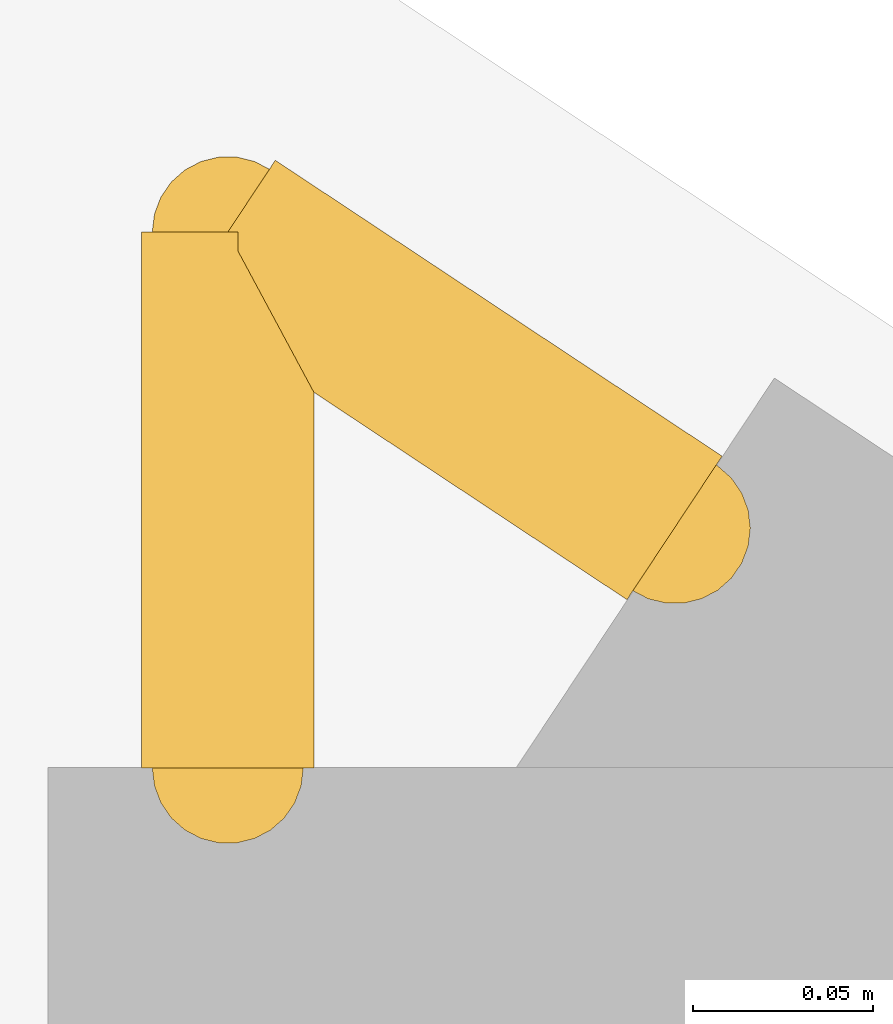
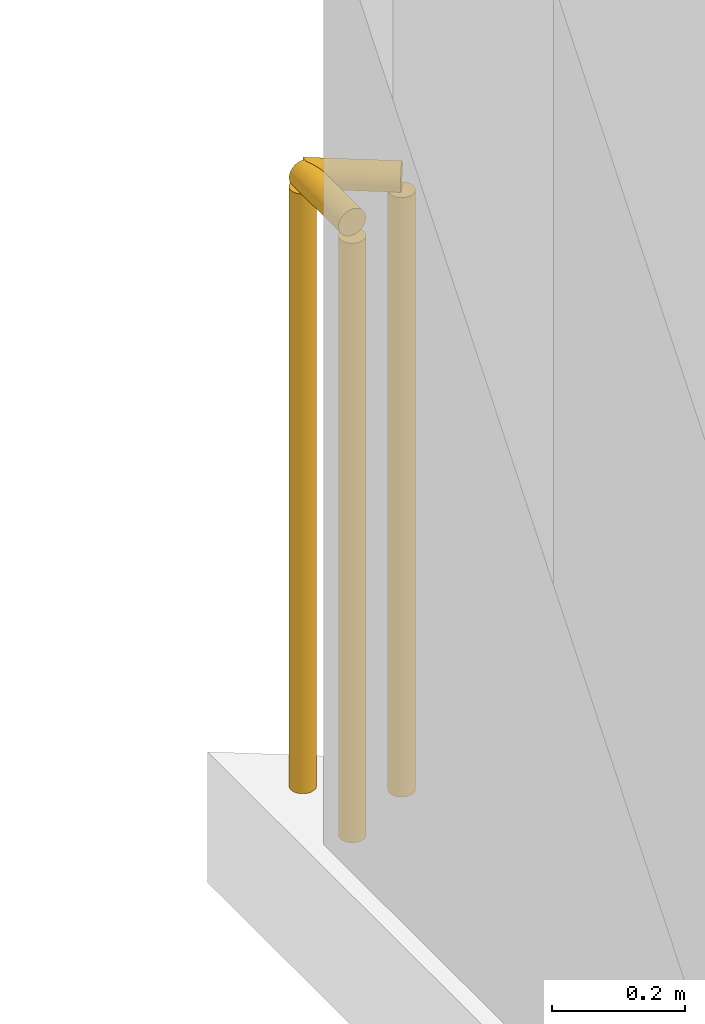
# One storey, part 16 of 17: 2 railings.
"""IFC4 building model written with IfcOpenShell, lengths in metres."""

import ifcopenshell
import ifcopenshell.guid

model = None  # the IFC model being written
_history = None  # IfcOwnerHistory: only IFC2X3 demands one
_inside = {}  # id of a spatial element -> (the spatial element, [elements in it])
_under = {}  # id of a project, library or spatial element -> (it, [spatial elements below it])
_declared = {}  # id of a project -> (the project, [libraries it declares])
_typed = {}  # id of a type object -> (the type object, [elements of that type])
_made_of = {}  # id of a material, layer set ... -> (it, [elements and type objects made of it])


def new_model(schema):
    """Start an empty IFC model of exactly this schema.

    Asked for "IFC4X3", IfcOpenShell would pick the latest addendum, in which some entities
    have other attributes; the version numbers below select the first issue.
    IFC2X3 requires an IfcOwnerHistory on every rooted entity: one is made here for all.
    """
    global model, _history
    if schema == "IFC4X3":
        model = ifcopenshell.file(schema_version=(4, 3, 0, 0))
    else:
        model = ifcopenshell.file(schema=schema)
    _inside.clear()
    _under.clear()
    _declared.clear()
    _typed.clear()
    _made_of.clear()
    _history = None
    if model.schema == "IFC2X3":
        org = make("IfcOrganization", Name="unknown")
        user = make(
            "IfcPersonAndOrganization",
            ThePerson=make("IfcPerson", FamilyName="unknown"),
            TheOrganization=org,
        )
        app = make(
            "IfcApplication",
            ApplicationDeveloper=org,
            Version="unknown",
            ApplicationFullName="unknown",
            ApplicationIdentifier="unknown",
        )
        _history = make(
            "IfcOwnerHistory",
            OwningUser=user,
            OwningApplication=app,
            ChangeAction="ADDED",
            CreationDate=0,
        )
    return model


def make(cls, **values):
    """One entity of the class cls with the attributes given. An attribute that is None is left unset."""
    return model.create_entity(
        cls, **{name: value for name, value in values.items() if value is not None}
    )


def rooted(cls, **values):
    """An entity with a GlobalId (a new one), such as an element, a storey or a relation."""
    return make(cls, GlobalId=ifcopenshell.guid.new(), OwnerHistory=_history, **values)


def si_unit(unit_type, name, prefix=None):
    """IfcSIUnit, for example si_unit("LENGTHUNIT", "METRE", prefix="MILLI")."""
    return make("IfcSIUnit", UnitType=unit_type, Prefix=prefix, Name=name)


def assignment(units):
    """IfcUnitAssignment: the units of a project."""
    return None if units is None else make("IfcUnitAssignment", Units=units)


def point(xyz):
    """IfcCartesianPoint."""
    return None if xyz is None else make("IfcCartesianPoint", Coordinates=xyz)


def direction(xyz):
    """IfcDirection."""
    return None if xyz is None else make("IfcDirection", DirectionRatios=xyz)


def frame(location, z_axis=None, x_axis=None):
    """IfcAxis2Placement3D, a coordinate frame: its origin and axes. An axis left out is left unset."""
    return make(
        "IfcAxis2Placement3D",
        Location=point(location),
        Axis=direction(z_axis),
        RefDirection=direction(x_axis),
    )


def frame_2d(location, x_axis=None):
    """IfcAxis2Placement2D, a coordinate frame in the plane: its origin and x axis."""
    return make(
        "IfcAxis2Placement2D", Location=point(location), RefDirection=direction(x_axis)
    )


def origin():
    """The frame at (0, 0, 0) with its axes left unset."""
    return frame((0.0, 0.0, 0.0))


def origin_2d():
    """The frame at (0, 0) in the plane with its x axis left unset."""
    return frame_2d((0.0, 0.0))


def place(relative_to, where):
    """IfcLocalPlacement: puts the frame where relative to a parent placement (None: the world)."""
    return make(
        "IfcLocalPlacement", PlacementRelTo=relative_to, RelativePlacement=where
    )


def context(
    kind, dimensions, precision=None, world=None, true_north=None, identifier=None
):
    """IfcGeometricRepresentationContext, for example the 3D "Model" context."""
    return make(
        "IfcGeometricRepresentationContext",
        ContextIdentifier=identifier,
        ContextType=kind,
        CoordinateSpaceDimension=dimensions,
        Precision=precision,
        WorldCoordinateSystem=world,
        TrueNorth=true_north,
    )


def subcontext(parent, identifier, kind, view, scale=None):
    """IfcGeometricRepresentationSubContext, for example "Body" below "Model"."""
    return make(
        "IfcGeometricRepresentationSubContext",
        ContextIdentifier=identifier,
        ContextType=kind,
        ParentContext=parent,
        TargetScale=scale,
        TargetView=view,
    )


def project(units=None, contexts=None):
    """IfcProject with its units and contexts."""
    return rooted(
        "IfcProject",
        Name="project",
        RepresentationContexts=contexts,
        UnitsInContext=assignment(units),
    )


def spatial(cls, under=None, at=None, **own):
    """A site, building, storey or space (cls), placed at a placement, below another one or the project."""
    s = rooted(cls, ObjectPlacement=at, **own)
    if under is not None:
        _under.setdefault(under.id(), (under, []))[1].append(s)
    return s


def profile(cls, at=None, kind="AREA", **sizes):
    """A parametric profile (cls). Its sizes go by their IFC names, for example OverallWidth=200.0."""
    return make(cls, ProfileType=kind, Position=at, **sizes)


def circle(**sizes):
    """IfcCircleProfileDef."""
    return profile("IfcCircleProfileDef", **sizes)


def extrude(swept, where, along, depth):
    """IfcExtrudedAreaSolid: the profile swept, set in the frame where, extruded along a direction by depth."""
    return make(
        "IfcExtrudedAreaSolid",
        SweptArea=swept,
        Position=where,
        ExtrudedDirection=direction(along),
        Depth=depth,
    )


def shape(context_of_items, identifier, shape_type, items):
    """IfcShapeRepresentation: the items that make up one representation, for example the "Body"."""
    return make(
        "IfcShapeRepresentation",
        ContextOfItems=context_of_items,
        RepresentationIdentifier=identifier,
        RepresentationType=shape_type,
        Items=items,
    )


def material(Name=None, Category=None):
    """IfcMaterial."""
    return make("IfcMaterial", Name=Name, Category=Category)


def made_of(thing, what):
    """Note that an element or type object is made of a material, layer set ...; save() writes the relation."""
    if what is not None:
        _made_of.setdefault(what.id(), (what, []))[1].append(thing)
    return thing


def type_object(cls, material=None, **own):
    """A type object (cls), such as IfcWallType, which elements share."""
    return made_of(rooted(cls, **own), material)


def element(
    cls,
    number,
    at=None,
    inside=None,
    cuts=None,
    type_object=None,
    material=None,
    context=None,
    identifier="Body",
    shape_type=None,
    held_by="IfcProductDefinitionShape",
    body=None,
    shapes=None,
    **own,
):
    """One element of the class cls, such as IfcWall. Its Tag is "e" and its number.

    at: its placement. inside: the storey or other place that contains it. cuts: it is an
    opening in that element (IfcRelVoidsElement). A single representation is given by context,
    identifier, shape_type and body (its items); several are given by shapes. held_by: the class
    of the entity that holds the representations. save() writes the other relations.
    """
    e = rooted(cls, Tag="e%d" % number, ObjectPlacement=at, **own)
    if body is not None:
        shapes = [shape(context, identifier, shape_type, body)]
    if shapes is not None:
        e.Representation = make(held_by, Representations=shapes)
    if inside is not None:
        _inside.setdefault(inside.id(), (inside, []))[1].append(e)
    if cuts is not None:
        rooted(
            "IfcRelVoidsElement", RelatingBuildingElement=cuts, RelatedOpeningElement=e
        )
    if type_object is not None:
        _typed.setdefault(type_object.id(), (type_object, []))[1].append(e)
    return made_of(e, material)


def aggregate(whole, parts):
    """IfcRelAggregates: a whole, such as a stair, and the parts it consists of."""
    return rooted("IfcRelAggregates", RelatingObject=whole, RelatedObjects=parts)


def save(model, path):
    """Write the relations noted so far, then the file.

    IfcRelAggregates (storeys below a building ...), IfcRelContainedInSpatialStructure (elements
    in a storey), IfcRelDefinesByType, IfcRelAssociatesMaterial and IfcRelDeclares: one each for
    every whole, place, type object, material and project.
    """
    for whole, parts in _under.values():
        aggregate(whole, parts)
    for where, things in _inside.values():
        rooted(
            "IfcRelContainedInSpatialStructure",
            RelatedElements=things,
            RelatingStructure=where,
        )
    for kind, things in _typed.values():
        rooted("IfcRelDefinesByType", RelatedObjects=things, RelatingType=kind)
    for what, things in _made_of.values():
        rooted("IfcRelAssociatesMaterial", RelatedObjects=things, RelatingMaterial=what)
    for by, libraries in _declared.values():
        rooted("IfcRelDeclares", RelatingContext=by, RelatedDefinitions=libraries)
    model.write(path)


model = new_model("IFC4")

# Units and contexts
model_context = context("Model", 3, precision=1e-05, world=origin(), true_north=direction((0.0, 1.0)))
body_context = subcontext(model_context, "Body", "Model", "MODEL_VIEW")
ifc_project = project(units=[si_unit("LENGTHUNIT", "METRE"), si_unit("AREAUNIT", "SQUARE_METRE"), si_unit("VOLUMEUNIT", "CUBIC_METRE"), si_unit("PLANEANGLEUNIT", "RADIAN"), si_unit("MASSUNIT", "GRAM", prefix="KILO")], contexts=[model_context])

# Site, building, storey
site_placement = place(None, origin())
site = spatial("IfcSite", under=ifc_project, at=site_placement, CompositionType="ELEMENT")
building_placement = place(site_placement, origin())
building = spatial("IfcBuilding", under=site, at=building_placement, Name="Varnakote Quay Hospital", CompositionType="ELEMENT")
storey_placement = place(building_placement, frame((0.0, 0.0, 134.949951171875)))
storey = spatial("IfcBuildingStorey", under=building, at=storey_placement, Name="L33", CompositionType="ELEMENT", Elevation=134.949951171875)

# Railings
ifc_material = material(Name="Anodised aluminium 6063-T6 Bronze", Category="aluminium")
railing_type = type_object("IfcRailingType", Name="RLG-EXT-GUARD-1150", PredefinedType="GUARDRAIL", material=ifc_material)
railing_1_placement = place(storey_placement, frame((2.679931640625, 43.10205078125, 0.0)))
element("IfcRailing", 1, at=railing_1_placement, inside=storey, type_object=railing_type, Name="L33 Slab Edge Perimeter Safety Guard", PredefinedType="GUARDRAIL", context=body_context, shape_type="SweptSolid", body=[
    extrude(circle(Radius=0.02392578125, at=origin_2d()), frame((0.0, 0.0, 1.1259765625), z_axis=(0.0, 1.0, 0.0), x_axis=(-1.0, 0.0, 0.0)), (0.0, 0.0, 1.0), 0.14892578125),
    extrude(circle(Radius=0.02099609375, at=origin_2d()), origin(), (0.0, 0.0, 1.0), 1.101806640625),
    extrude(circle(Radius=0.02099609375, at=origin_2d()), frame((0.0, 0.14892578125, 0.0)), (0.0, 0.0, 1.0), 1.101806640625),
])
railing_2_placement = place(storey_placement, frame((2.679931640625, 43.2509765625, 0.0)))
element("IfcRailing", 2, at=railing_2_placement, inside=storey, type_object=railing_type, Name="L33 Slab Edge Perimeter Safety Guard", PredefinedType="GUARDRAIL", context=body_context, shape_type="SweptSolid", body=[
    extrude(circle(Radius=0.02392578125, at=origin_2d()), frame((0.0, 0.0, 1.1259765625), z_axis=(0.833810230731, -0.552051174374, 0.0), x_axis=(0.552051174374, 0.833810230731, 0.0)), (0.0, 0.0, 1.0), 0.14892578125),
    extrude(circle(Radius=0.02099609375, at=origin_2d()), origin(), (0.0, 0.0, 1.0), 1.101806640625),
    extrude(circle(Radius=0.02099609375, at=origin_2d()), frame((0.124267578125, -0.082275390625, 0.0)), (0.0, 0.0, 1.0), 1.101806640625),
])

save(model, "model.ifc")
